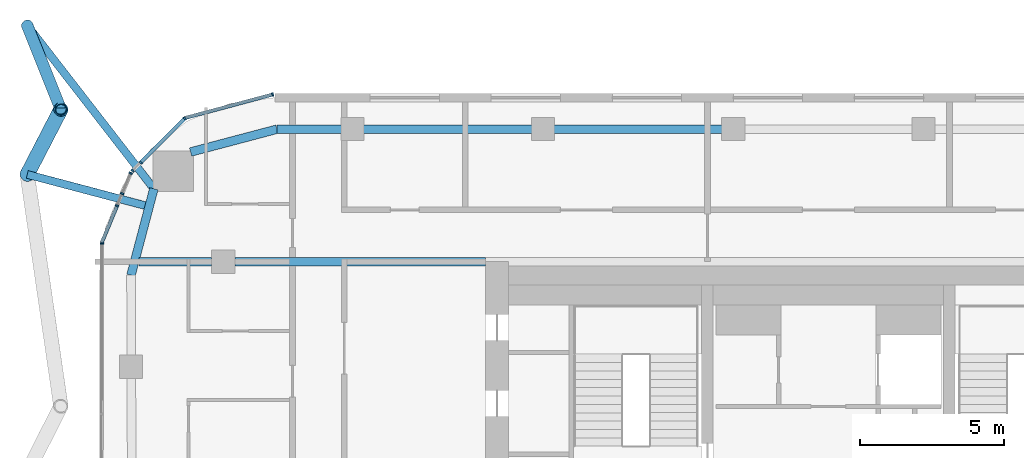
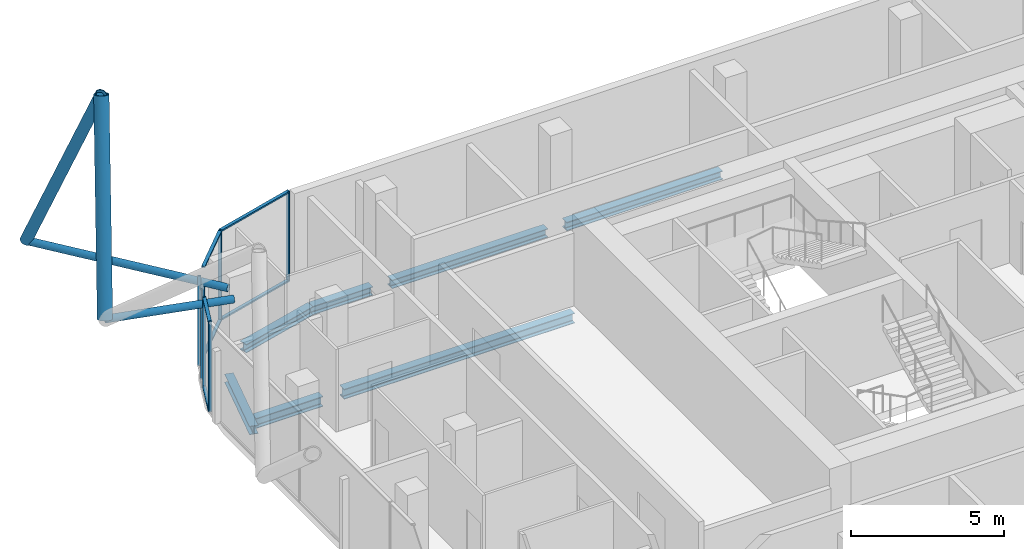
# One storey, part 10 of 33: 18 members, 7 beams, 7 elements without a shape of their own.
"""IFC4 building model written with IfcOpenShell, lengths in metres."""

from ifc_helpers import new_model, si_unit, direction, frame, origin, origin_2d, place, context, subcontext, project, spatial, rectangle, hollow_circle, i_section, extrude, material, layer, layer_set, material_profile, profile_set, type_object, element, aggregate, save


model = new_model("IFC4")

# Units and contexts
model_context = context("Model", 3, precision=1e-05, world=origin(), true_north=direction((0.0, 1.0)))
body_context = subcontext(model_context, "Body", "Model", "MODEL_VIEW")
ifc_project = project(units=[si_unit("LENGTHUNIT", "METRE"), si_unit("AREAUNIT", "SQUARE_METRE"), si_unit("VOLUMEUNIT", "CUBIC_METRE"), si_unit("PLANEANGLEUNIT", "RADIAN"), si_unit("MASSUNIT", "GRAM", prefix="KILO")], contexts=[model_context])

# Site, building, storey
site_placement = place(None, origin())
site = spatial("IfcSite", under=ifc_project, at=site_placement, CompositionType="ELEMENT")
building_placement = place(site_placement, origin())
building = spatial("IfcBuilding", under=site, at=building_placement, Name="Marenta Gate Hotel Tower", CompositionType="ELEMENT")
storey_placement = place(building_placement, frame((0.0, 0.0, 248.89990234375)))
storey = spatial("IfcBuildingStorey", under=building, at=storey_placement, Name="L59", CompositionType="ELEMENT", Elevation=248.89990234375)

# Members
ifc_material_1 = material(Name="Steel S355J2W", Category="steel")
ifc_material_profile_1 = material_profile(ifc_material_1, hollow_circle(Radius=0.203125, WallThickness=0.02490234375, at=origin_2d()), Name="CHS 406.4x25")
ifc_profile_set_1 = profile_set([ifc_material_profile_1], Name="Steel S355J2W")
member_type_1 = type_object("IfcMemberType", Name="Diagrid corner post Z3 CHS 406.4x25", PredefinedType="POST", material=ifc_profile_set_1)
member_1_placement = place(storey_placement, frame((-27.800048828125, 25.0, 3.14013671875), z_axis=(0.148326514511, -0.371127113005, 0.916659102985), x_axis=(0.928583922291, 0.371122485525, 0.0)))
element("IfcMember", 1, at=member_1_placement, inside=storey, type_object=member_type_1, Name="L59-DR-6", PredefinedType="POST", context=body_context, shape_type="SweptSolid", body=[
    extrude(hollow_circle(Radius=0.203125, WallThickness=0.02490234375, at=origin_2d()), origin(), (0.0, 0.0, 1.0), 7.8544921875),
])
ifc_material_2 = material(Name="Steel S355J2W", Category="steel")
ifc_material_profile_2 = material_profile(ifc_material_2, hollow_circle(Radius=0.25390625, WallThickness=0.0400390625, at=origin_2d()), Name="CHS 508x40")
ifc_profile_set_2 = profile_set([ifc_material_profile_2], Name="Steel S355J2W")
member_type_2 = type_object("IfcMemberType", Name="Diagrid diagonal T3 CHS 508x40", PredefinedType="BRACE", material=ifc_profile_set_2)
member_2_placement = place(storey_placement, frame((-27.800048828125, 19.830078125, 3.14013671875), z_axis=(0.152607747436, 0.295365707317, 0.943117158345), x_axis=(-0.888423291687, 0.459025113461, 0.0)))
element("IfcMember", 2, at=member_2_placement, inside=storey, type_object=member_type_2, Name="L59-DG-34", PredefinedType="BRACE", context=body_context, shape_type="SweptSolid", body=[
    extrude(hollow_circle(Radius=0.25390625, WallThickness=0.0400390625, at=origin_2d()), origin(), (0.0, 0.0, 1.0), 7.63427734375),
])

# Beams
ifc_material_3 = material(Name="Steel S355", Category="steel")
ifc_material_profile_3 = material_profile(ifc_material_3, i_section(OverallWidth=0.300048828125, OverallDepth=0.340087890625, WebThickness=0.011962890625, FlangeThickness=0.021484375, FilletRadius=0.027099609375, at=origin_2d()), Name="HEB 340")
ifc_profile_set_3 = profile_set([ifc_material_profile_3], Name="Steel S355")
beam_type_1 = type_object("IfcBeamType", Name="Edge beam HEB 340", PredefinedType="SPANDREL", material=ifc_profile_set_3)
beam_1_placement = place(storey_placement, frame((-24.199951171875, 16.33447265625, -0.429931640625), z_axis=(0.255648013319, 0.966769927794, 0.0), x_axis=(-0.966769927794, 0.255648013319, 0.0)))
element("IfcBeam", 3, at=beam_1_placement, inside=storey, type_object=beam_type_1, Name="L59-EB-11", PredefinedType="SPANDREL", context=body_context, shape_type="SweptSolid", body=[
    extrude(i_section(OverallWidth=0.300048828125, OverallDepth=0.340087890625, WebThickness=0.011962890625, FlangeThickness=0.021484375, FilletRadius=0.027099609375, at=origin_2d()), origin(), (0.0, 0.0, 1.0), 3.100830078125),
])
beam_2_placement = place(storey_placement, frame((-22.132080078125, 20.607177734375, -0.429931640625), z_axis=(0.9667647815, 0.25566747398, 0.0), x_axis=(-0.25566747398, 0.9667647815, 0.0)))
element("IfcBeam", 4, at=beam_2_placement, inside=storey, type_object=beam_type_1, Name="L59-EB-12", PredefinedType="SPANDREL", context=body_context, shape_type="SweptSolid", body=[
    extrude(i_section(OverallWidth=0.300048828125, OverallDepth=0.340087890625, WebThickness=0.011962890625, FlangeThickness=0.021484375, FilletRadius=0.027099609375, at=origin_2d()), origin(), (0.0, 0.0, 1.0), 3.1005859375),
])
beam_3_placement = place(storey_placement, frame((-19.134521484375, 21.39990234375, -0.429931640625), z_axis=(1.0, 0.0, 0.0), x_axis=(0.0, 1.0, 0.0)))
element("IfcBeam", 5, at=beam_3_placement, inside=storey, type_object=beam_type_1, Name="L59-EB-13", PredefinedType="SPANDREL", context=body_context, shape_type="SweptSolid", body=[
    extrude(i_section(OverallWidth=0.300048828125, OverallDepth=0.340087890625, WebThickness=0.011962890625, FlangeThickness=0.021484375, FilletRadius=0.027099609375, at=origin_2d()), origin(), (0.0, 0.0, 1.0), 2.267578125),
])
for number, where, z_axis, x_axis, name in (
    (6, (-16.14697265625, 21.39990234375, -0.429931640625), (1.0, 0.0, 0.0), (0.0, 1.0, 0.0), "L59-EB-14"),
    (7, (-9.544189453125, 21.39990234375, -0.429931640625), (1.0, 0.0, 0.0), (0.0, 1.0, 0.0), "L59-EB-15"),
):
    element("IfcBeam", number, at=place(storey_placement, frame(where, z_axis=z_axis, x_axis=x_axis)), inside=storey, type_object=beam_type_1, Name=name, PredefinedType="SPANDREL", context=body_context, shape_type="SweptSolid", body=[
        extrude(i_section(OverallWidth=0.300048828125, OverallDepth=0.340087890625, WebThickness=0.011962890625, FlangeThickness=0.021484375, FilletRadius=0.027099609375, at=origin_2d()), origin(), (0.0, 0.0, 1.0), 5.8828125),
    ])

# Members
ifc_material_4 = material(Name="Steel S355J2W", Category="steel")
ifc_material_profile_4 = material_profile(ifc_material_4, hollow_circle(Radius=0.136474609375, WallThickness=0.012451171875, at=origin_2d()), Name="CHS 273x12.5")
ifc_profile_set_4 = profile_set([ifc_material_profile_4], Name="Steel S355J2W")
member_type_3 = type_object("IfcMemberType", Name="Floor tie CHS 273x12.5", PredefinedType="STRUT", material=ifc_profile_set_4)
member_3_placement = place(storey_placement, frame((-27.800048828125, 19.830078125, 3.14013671875), z_axis=(0.966765507576, -0.255664728426, 0.0), x_axis=(0.255664728426, 0.966765507576, 0.0)))
element("IfcMember", 8, at=member_3_placement, inside=storey, type_object=member_type_3, Name="L59-DR-21", PredefinedType="STRUT", context=body_context, shape_type="SweptSolid", body=[
    extrude(hollow_circle(Radius=0.136474609375, WallThickness=0.012451171875, at=origin_2d()), origin(), (0.0, 0.0, 1.0), 4.359130859375),
])
member_4_placement = place(storey_placement, frame((-27.800048828125, 25.0, 3.14013671875), z_axis=(0.612606853959, -0.790387779816, 0.0), x_axis=(0.790387779816, 0.612606853959, 0.0)))
element("IfcMember", 9, at=member_4_placement, inside=storey, type_object=member_type_3, Name="L59-DR-22", PredefinedType="STRUT", context=body_context, shape_type="SweptSolid", body=[
    extrude(hollow_circle(Radius=0.136474609375, WallThickness=0.012451171875, at=origin_2d()), origin(), (0.0, 0.0, 1.0), 7.15185546875),
])

# Beams
ifc_material_5 = material(Name="Steel S355", Category="steel")
ifc_material_profile_5 = material_profile(ifc_material_5, i_section(OverallWidth=0.300048828125, OverallDepth=0.39990234375, WebThickness=0.013427734375, FlangeThickness=0.02392578125, FilletRadius=0.027099609375, at=origin_2d()), Name="HEB 400")
ifc_profile_set_5 = profile_set([ifc_material_profile_5], Name="Steel S355")
beam_type_2 = type_object("IfcBeamType", Name="Girder HEB 400", PredefinedType="BEAM", material=ifc_profile_set_5)
beam_4_placement = place(storey_placement, frame((-23.921630859375, 16.800048828125, -0.4599609375), z_axis=(1.0, 0.0, 0.0), x_axis=(0.0, 1.0, 0.0)))
element("IfcBeam", 10, at=beam_4_placement, inside=storey, type_object=beam_type_2, Name="L59-GD-29", PredefinedType="BEAM", context=body_context, shape_type="SweptSolid", body=[
    extrude(i_section(OverallWidth=0.300048828125, OverallDepth=0.39990234375, WebThickness=0.013427734375, FlangeThickness=0.02392578125, FilletRadius=0.027099609375, at=origin_2d()), origin(), (0.0, 0.0, 1.0), 2.521728515625),
])
beam_5_placement = place(storey_placement, frame((-20.60009765625, 16.800048828125, -0.4599609375), z_axis=(1.0, 0.0, 0.0), x_axis=(0.0, 1.0, 0.0)))
element("IfcBeam", 11, at=beam_5_placement, inside=storey, type_object=beam_type_2, Name="L59-GD-30", PredefinedType="BEAM", context=body_context, shape_type="SweptSolid", body=[
    extrude(i_section(OverallWidth=0.300048828125, OverallDepth=0.39990234375, WebThickness=0.013427734375, FlangeThickness=0.02392578125, FilletRadius=0.027099609375, at=origin_2d()), origin(), (0.0, 0.0, 1.0), 8.7001953125),
])

# Curtain wall, member
ifc_material_6 = material(Name="Tinted insulated glass in bronze anodised frame", Category="glass")
ifc_layer = layer(ifc_material_6, 0.1201171875)
ifc_layer_set = layer_set([ifc_layer], Name="Tinted insulated glass in bronze anodised frame")
curtain_wall_type = type_object("IfcCurtainWallType", Name="Tower unitised curtain wall CW1", PredefinedType="NOTDEFINED", material=ifc_layer_set)
curtain_wall_1_placement = place(storey_placement, origin())
curtain_wall_1 = element("IfcCurtainWall", 12, at=curtain_wall_1_placement, inside=storey, type_object=curtain_wall_type, Name="CW1 run G00", PredefinedType="NOTDEFINED")
ifc_material_7 = material(Name="Bronze anodised aluminium", Category="aluminium")
ifc_material_profile_6 = material_profile(ifc_material_7, rectangle(XDim=0.1201171875, YDim=0.06005859375, at=origin_2d()), Name="Mullion CW1 60x120 bronze anodised aluminium")
ifc_profile_set_6 = profile_set([ifc_material_profile_6], Name="Bronze anodised aluminium")
member_type_4 = type_object("IfcMemberType", Name="Mullion CW1 60x120 bronze anodised aluminium", PredefinedType="MULLION", material=ifc_profile_set_6)
member_5_placement = place(storey_placement, frame((-19.285400390625, 22.603271484375, 0.0), z_axis=(0.0, 0.0, 1.0), x_axis=(0.258801379183, -0.965930559685, 0.0)))
member_5 = element("IfcMember", 13, at=member_5_placement, type_object=member_type_4, Name="CW1 mullion 1", PredefinedType="MULLION", context=body_context, shape_type="SweptSolid", body=[
    extrude(rectangle(XDim=0.1201171875, YDim=0.06005859375, at=origin_2d()), origin(), (0.0, 0.0, 1.0), 3.60009765625),
])

curtain_wall_2_placement = place(storey_placement, origin())
curtain_wall_2 = element("IfcCurtainWall", 14, at=curtain_wall_2_placement, inside=storey, type_object=curtain_wall_type, Name="CW1 run G01", PredefinedType="NOTDEFINED")
member_6_placement = place(storey_placement, frame((-22.334228515625, 21.77099609375, 0.0), z_axis=(0.0, 0.0, 1.0), x_axis=(0.707106781187, -0.707106781187, 0.0)))
member_6 = element("IfcMember", 15, at=member_6_placement, type_object=member_type_4, Name="CW1 mullion 1", PredefinedType="MULLION", context=body_context, shape_type="SweptSolid", body=[
    extrude(rectangle(XDim=0.1201171875, YDim=0.06005859375, at=origin_2d()), origin(), (0.0, 0.0, 1.0), 3.60009765625),
])

# Curtain wall, members
curtain_wall_3_placement = place(storey_placement, origin())
curtain_wall_3 = element("IfcCurtainWall", 16, at=curtain_wall_3_placement, inside=storey, type_object=curtain_wall_type, Name="CW1 run G02", PredefinedType="NOTDEFINED")
member_7_placement = place(storey_placement, frame((-23.86328125, 20.24169921875, 0.0), z_axis=(0.0, 0.0, 1.0), x_axis=(0.707106781187, -0.707106781187, 0.0)))
member_7 = element("IfcMember", 17, at=member_7_placement, type_object=member_type_4, Name="CW1 mullion 1", PredefinedType="MULLION", context=body_context, shape_type="SweptSolid", body=[
    extrude(rectangle(XDim=0.1201171875, YDim=0.06005859375, at=origin_2d()), origin(), (0.0, 0.0, 1.0), 3.00048828125),
])
member_8_placement = place(storey_placement, frame((-24.143798828125, 19.96142578125, 0.0), z_axis=(0.0, 0.0, 1.0), x_axis=(0.707106781187, -0.707106781187, 0.0)))
member_8 = element("IfcMember", 18, at=member_8_placement, type_object=member_type_4, Name="CW1 mullion 2", PredefinedType="MULLION", context=body_context, shape_type="SweptSolid", body=[
    extrude(rectangle(XDim=0.1201171875, YDim=0.06005859375, at=origin_2d()), origin(), (0.0, 0.0, 1.0), 3.00048828125),
])
aggregate(curtain_wall_3, [member_7, member_8])

# Curtain wall, member
curtain_wall_4_placement = place(storey_placement, origin())
curtain_wall_4 = element("IfcCurtainWall", 19, at=curtain_wall_4_placement, inside=storey, type_object=curtain_wall_type, Name="CW1 run G03", PredefinedType="NOTDEFINED")
member_9_placement = place(storey_placement, frame((-24.215087890625, 19.87353515625, 0.0), z_axis=(0.0, 0.0, 1.0), x_axis=(0.923867791185, -0.382711777204, 0.0)))
member_9 = element("IfcMember", 20, at=member_9_placement, type_object=member_type_4, Name="CW1 mullion 1", PredefinedType="MULLION", context=body_context, shape_type="SweptSolid", body=[
    extrude(rectangle(XDim=0.1201171875, YDim=0.06005859375, at=origin_2d()), origin(), (0.0, 0.0, 1.0), 3.60009765625),
])
aggregate(curtain_wall_4, [member_9])

curtain_wall_5_placement = place(storey_placement, origin())
curtain_wall_5 = element("IfcCurtainWall", 21, at=curtain_wall_5_placement, inside=storey, type_object=curtain_wall_type, Name="CW1 run G04", PredefinedType="NOTDEFINED")
member_10_placement = place(storey_placement, frame((-24.50927734375, 19.163330078125, 0.0), z_axis=(0.0, 0.0, 1.0), x_axis=(0.923896848097, -0.382641626167, 0.0)))
member_10 = element("IfcMember", 22, at=member_10_placement, type_object=member_type_4, Name="CW1 mullion 1", PredefinedType="MULLION", context=body_context, shape_type="SweptSolid", body=[
    extrude(rectangle(XDim=0.1201171875, YDim=0.06005859375, at=origin_2d()), origin(), (0.0, 0.0, 1.0), 3.00048828125),
])
aggregate(curtain_wall_5, [member_10])

curtain_wall_6_placement = place(storey_placement, origin())
curtain_wall_6 = element("IfcCurtainWall", 23, at=curtain_wall_6_placement, inside=storey, type_object=curtain_wall_type, Name="CW1 run G05", PredefinedType="NOTDEFINED")
member_11_placement = place(storey_placement, frame((-24.684326171875, 18.740966796875, 0.0), z_axis=(0.0, 0.0, 1.0), x_axis=(0.923893220226, -0.382650385627, 0.0)))
member_11 = element("IfcMember", 24, at=member_11_placement, type_object=member_type_4, Name="CW1 mullion 1", PredefinedType="MULLION", context=body_context, shape_type="SweptSolid", body=[
    extrude(rectangle(XDim=0.1201171875, YDim=0.06005859375, at=origin_2d()), origin(), (0.0, 0.0, 1.0), 3.60009765625),
])

curtain_wall_7_placement = place(storey_placement, origin())
curtain_wall_7 = element("IfcCurtainWall", 25, at=curtain_wall_7_placement, inside=storey, type_object=curtain_wall_type, Name="CW1 run G06", PredefinedType="NOTDEFINED")
member_12_placement = place(storey_placement, frame((-25.21240234375, 17.436279296875, 0.0), z_axis=(0.0, 0.0, 1.0), x_axis=(0.999998767857, -0.001569803969, 0.0)))
member_12 = element("IfcMember", 26, at=member_12_placement, type_object=member_type_4, Name="CW1 mullion 1", PredefinedType="MULLION", context=body_context, shape_type="SweptSolid", body=[
    extrude(rectangle(XDim=0.1201171875, YDim=0.06005859375, at=origin_2d()), origin(), (0.0, 0.0, 1.0), 3.60009765625),
])
aggregate(curtain_wall_7, [member_12])

# Member
ifc_material_8 = material(Name="Bronze anodised aluminium", Category="aluminium")
ifc_material_profile_7 = material_profile(ifc_material_8, rectangle(XDim=0.1201171875, YDim=0.06005859375, at=origin_2d()), Name="Transom CW1 60x120 bronze anodised aluminium")
ifc_profile_set_7 = profile_set([ifc_material_profile_7], Name="Bronze anodised aluminium")
member_type_5 = type_object("IfcMemberType", Name="Transom CW1 60x120 bronze anodised aluminium", PredefinedType="USERDEFINED", material=ifc_profile_set_7)
member_13_placement = place(storey_placement, frame((-19.314453125, 22.595458984375, 0.030029296875), z_axis=(-0.965924882171, -0.258822568574, 0.0), x_axis=(0.258822568574, -0.965924882171, 0.0)))
member_13 = element("IfcMember", 27, at=member_13_placement, type_object=member_type_5, Name="CW1 transom 1.1", ObjectType="TRANSOM", PredefinedType="USERDEFINED", context=body_context, shape_type="SweptSolid", body=[
    extrude(rectangle(XDim=0.1201171875, YDim=0.06005859375, at=origin_2d()), origin(), (0.0, 0.0, 1.0), 3.104248046875),
])

member_14_placement = place(storey_placement, frame((-19.314453125, 22.595458984375, 3.570068359375), z_axis=(-0.965924882171, -0.258822568574, 0.0), x_axis=(0.258822568574, -0.965924882171, 0.0)))
member_14 = element("IfcMember", 28, at=member_14_placement, type_object=member_type_5, Name="CW1 transom 1.2", ObjectType="TRANSOM", PredefinedType="USERDEFINED", context=body_context, shape_type="SweptSolid", body=[
    extrude(rectangle(XDim=0.1201171875, YDim=0.06005859375, at=origin_2d()), origin(), (0.0, 0.0, 1.0), 3.104248046875),
])

aggregate(curtain_wall_1, [member_5, member_13, member_14])

member_15_placement = place(storey_placement, frame((-22.355224609375, 21.749755859375, 0.030029296875), z_axis=(-0.707106781187, -0.707106781187, 0.0), x_axis=(0.707106781187, -0.707106781187, 0.0)))
member_15 = element("IfcMember", 29, at=member_15_placement, type_object=member_type_5, Name="CW1 transom 1.1", ObjectType="TRANSOM", PredefinedType="USERDEFINED", context=body_context, shape_type="SweptSolid", body=[
    extrude(rectangle(XDim=0.1201171875, YDim=0.06005859375, at=origin_2d()), origin(), (0.0, 0.0, 1.0), 2.102783203125),
])

member_16_placement = place(storey_placement, frame((-22.355224609375, 21.749755859375, 3.570068359375), z_axis=(-0.707106781187, -0.707106781187, 0.0), x_axis=(0.707106781187, -0.707106781187, 0.0)))
member_16 = element("IfcMember", 30, at=member_16_placement, type_object=member_type_5, Name="CW1 transom 1.2", ObjectType="TRANSOM", PredefinedType="USERDEFINED", context=body_context, shape_type="SweptSolid", body=[
    extrude(rectangle(XDim=0.1201171875, YDim=0.06005859375, at=origin_2d()), origin(), (0.0, 0.0, 1.0), 2.102783203125),
])

aggregate(curtain_wall_2, [member_6, member_15, member_16])

member_17_placement = place(storey_placement, frame((-24.69580078125, 18.71337890625, 0.030029296875), z_axis=(-0.382713863941, -0.923866926753, 0.0), x_axis=(0.923866926753, -0.382713863941, 0.0)))
member_17 = element("IfcMember", 31, at=member_17_placement, type_object=member_type_5, Name="CW1 transom 1.1", ObjectType="TRANSOM", PredefinedType="USERDEFINED", context=body_context, shape_type="SweptSolid", body=[
    extrude(rectangle(XDim=0.1201171875, YDim=0.06005859375, at=origin_2d()), origin(), (0.0, 0.0, 1.0), 1.349853515625),
])

member_18_placement = place(storey_placement, frame((-24.69580078125, 18.71337890625, 3.570068359375), z_axis=(-0.382713863941, -0.923866926753, 0.0), x_axis=(0.923866926753, -0.382713863941, 0.0)))
member_18 = element("IfcMember", 32, at=member_18_placement, type_object=member_type_5, Name="CW1 transom 1.2", ObjectType="TRANSOM", PredefinedType="USERDEFINED", context=body_context, shape_type="SweptSolid", body=[
    extrude(rectangle(XDim=0.1201171875, YDim=0.06005859375, at=origin_2d()), origin(), (0.0, 0.0, 1.0), 1.349853515625),
])

aggregate(curtain_wall_6, [member_11, member_17, member_18])

save(model, "model.ifc")
